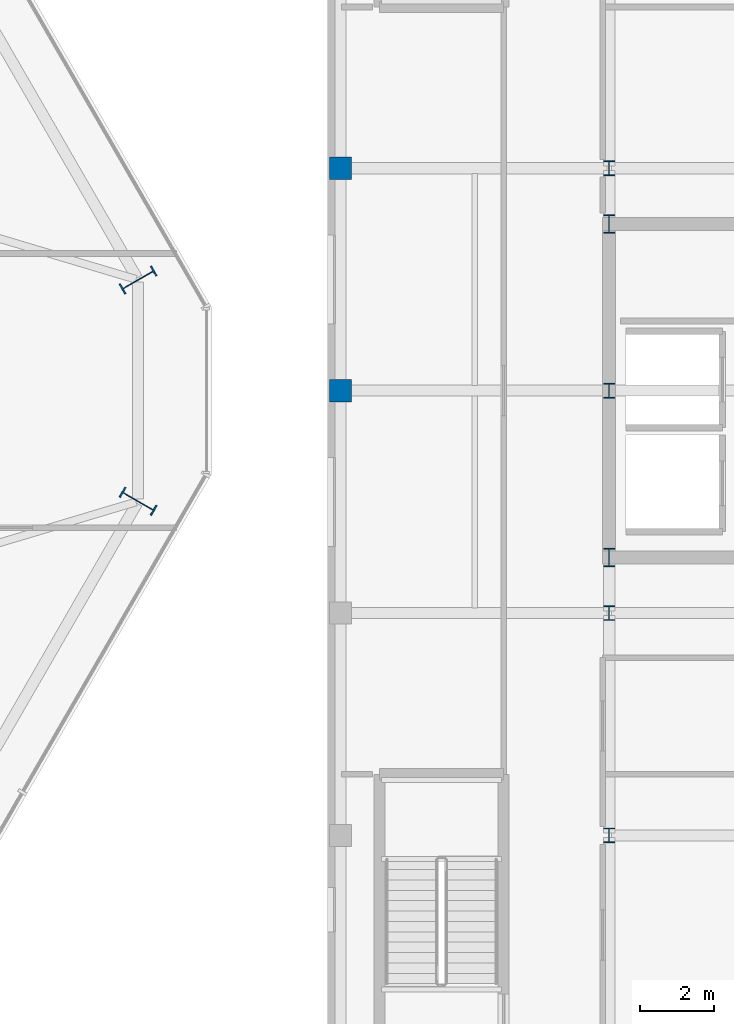
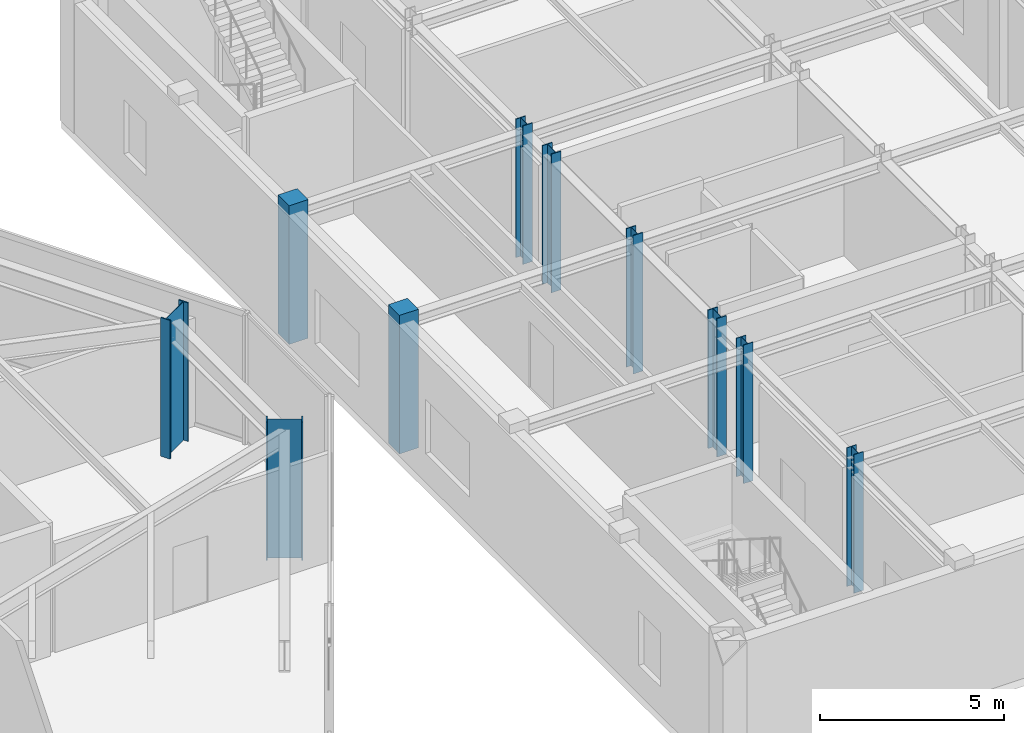
# One storey, part 2 of 23: 10 columns.
"""IFC4 building model written with IfcOpenShell, lengths in metres."""

from ifc_helpers import new_model, si_unit, direction, frame, origin, origin_2d, place, context, subcontext, project, spatial, rectangle, i_section, extrude, material, material_profile, profile_set, type_object, element, save


model = new_model("IFC4")

# Units and contexts
model_context = context("Model", 3, precision=1e-05, world=origin(), true_north=direction((0.0, 1.0)))
body_context = subcontext(model_context, "Body", "Model", "MODEL_VIEW")
ifc_project = project(units=[si_unit("LENGTHUNIT", "METRE"), si_unit("AREAUNIT", "SQUARE_METRE"), si_unit("VOLUMEUNIT", "CUBIC_METRE"), si_unit("PLANEANGLEUNIT", "RADIAN"), si_unit("MASSUNIT", "GRAM", prefix="KILO")], contexts=[model_context])

# Site, building, storey
site_placement = place(None, origin())
site = spatial("IfcSite", under=ifc_project, at=site_placement, CompositionType="ELEMENT")
building_placement = place(site_placement, origin())
building = spatial("IfcBuilding", under=site, at=building_placement, Name="Kranzbogen Civic Tower", CompositionType="ELEMENT")
storey_placement = place(building_placement, frame((0.0, 0.0, 14.39990234375)))
storey = spatial("IfcBuildingStorey", under=building, at=storey_placement, Name="L03", CompositionType="ELEMENT", Elevation=14.39990234375)

# Columns
ifc_material_1 = material(Name="Steel S355", Category="steel")
ifc_material_profile_1 = material_profile(ifc_material_1, i_section(OverallWidth=0.300048828125, OverallDepth=0.39990234375, WebThickness=0.013427734375, FlangeThickness=0.02392578125, at=origin_2d()), Name="HEB 400")
ifc_profile_set_1 = profile_set([ifc_material_profile_1], Name="Steel S355")
column_type_1 = type_object("IfcColumnType", Name="Structural Column HEB 400", PredefinedType="COLUMN", material=ifc_profile_set_1)
for number, where, z_axis, x_axis, name in (
    (1, (59.60009765625, 13.0, 0.0), (0.0, 0.0, 1.0), (1.0, 0.0, 0.0), "L03 Health Centre column 11/C"),
    (2, (59.60009765625, 19.0, 0.0), (0.0, 0.0, 1.0), (1.0, 0.0, 0.0), "L03 Health Centre column 11/D"),
    (3, (59.60009765625, 25.0, 0.0), (0.0, 0.0, 1.0), (1.0, 0.0, 0.0), "L03 Health Centre column 11/E"),
    (4, (59.60009765625, 31.0, 0.0), (0.0, 0.0, 1.0), (1.0, 0.0, 0.0), "L03 Health Centre column 11/F"),
):
    element("IfcColumn", number, at=place(storey_placement, frame(where, z_axis=z_axis, x_axis=x_axis)), inside=storey, type_object=column_type_1, Name=name, PredefinedType="COLUMN", context=body_context, shape_type="SweptSolid", body=[
        extrude(i_section(OverallWidth=0.300048828125, OverallDepth=0.39990234375, WebThickness=0.013427734375, FlangeThickness=0.02392578125, at=origin_2d()), origin(), (0.0, 0.0, 1.0), 4.60009765625),
    ])
ifc_material_profile_2 = material_profile(ifc_material_1, i_section(OverallWidth=0.300048828125, OverallDepth=0.5, WebThickness=0.014404296875, FlangeThickness=0.028076171875, at=origin_2d()), Name="HEB 500")
ifc_profile_set_2 = profile_set([ifc_material_profile_2], Name="Steel S355")
column_type_2 = type_object("IfcColumnType", Name="Structural Column HEB 500", PredefinedType="COLUMN", material=ifc_profile_set_2)
for number, where, z_axis, x_axis, name in (
    (5, (59.60009765625, 20.5, 0.0), (0.0, 0.0, 1.0), (1.0, 0.0, 0.0), "L03 Health Centre core corner column 1"),
    (6, (59.60009765625, 29.5, 0.0), (0.0, 0.0, 1.0), (1.0, 0.0, 0.0), "L03 Health Centre core corner column 4"),
):
    element("IfcColumn", number, at=place(storey_placement, frame(where, z_axis=z_axis, x_axis=x_axis)), inside=storey, type_object=column_type_2, Name=name, PredefinedType="COLUMN", context=body_context, shape_type="SweptSolid", body=[
        extrude(i_section(OverallWidth=0.300048828125, OverallDepth=0.5, WebThickness=0.014404296875, FlangeThickness=0.028076171875, at=origin_2d()), origin(), (0.0, 0.0, 1.0), 4.60009765625),
    ])
ifc_material_2 = material(Name="Steel S460", Category="steel")
ifc_material_profile_3 = material_profile(ifc_material_2, i_section(OverallWidth=0.302001953125, OverallDepth=1.008056640625, WebThickness=0.02099609375, FlangeThickness=0.0400390625, at=origin_2d()), Name="HEM 1000")
ifc_profile_set_3 = profile_set([ifc_material_profile_3], Name="Steel S460")
column_type_3 = type_object("IfcColumnType", Name="Structural Column HEM 1000", PredefinedType="COLUMN", material=ifc_profile_set_3)
for number, where, z_axis, x_axis, name in (
    (7, (46.889892578125, 27.986083984375, 0.0), (0.0, 0.0, 1.0), (-0.5, 0.866025403784, 0.0), "L03 tower perimeter tube column 01"),
    (8, (46.889892578125, 22.013916015625, 0.0), (0.0, 0.0, 1.0), (0.5, 0.866025403784, 0.0), "L03 tower perimeter tube column 12"),
):
    element("IfcColumn", number, at=place(storey_placement, frame(where, z_axis=z_axis, x_axis=x_axis)), inside=storey, type_object=column_type_3, Name=name, PredefinedType="COLUMN", context=body_context, shape_type="SweptSolid", body=[
        extrude(i_section(OverallWidth=0.302001953125, OverallDepth=1.008056640625, WebThickness=0.02099609375, FlangeThickness=0.0400390625, at=origin_2d()), origin(), (0.0, 0.0, 1.0), 4.60009765625),
    ])
ifc_material_3 = material(Name="Concrete C40/50", Category="concrete")
ifc_material_profile_4 = material_profile(ifc_material_3, rectangle(XDim=0.60009765625, YDim=0.60009765625, at=origin_2d()), Name="RC 600x600")
ifc_profile_set_4 = profile_set([ifc_material_profile_4], Name="Concrete C40/50")
column_type_4 = type_object("IfcColumnType", Name="Structural Column RC 600x600", PredefinedType="COLUMN", material=ifc_profile_set_4)
for number, where, z_axis, x_axis, name in (
    (9, (52.35009765625, 25.0, 0.0), (0.0, 0.0, 1.0), (1.0, 0.0, 0.0), "L03 Health Centre column 10/E"),
    (10, (52.35009765625, 31.0, 0.0), (0.0, 0.0, 1.0), (1.0, 0.0, 0.0), "L03 Health Centre column 10/F"),
):
    element("IfcColumn", number, at=place(storey_placement, frame(where, z_axis=z_axis, x_axis=x_axis)), inside=storey, type_object=column_type_4, Name=name, PredefinedType="COLUMN", context=body_context, shape_type="SweptSolid", body=[
        extrude(rectangle(XDim=0.60009765625, YDim=0.60009765625, at=origin_2d()), origin(), (0.0, 0.0, 1.0), 4.60009765625),
    ])

save(model, "model.ifc")
